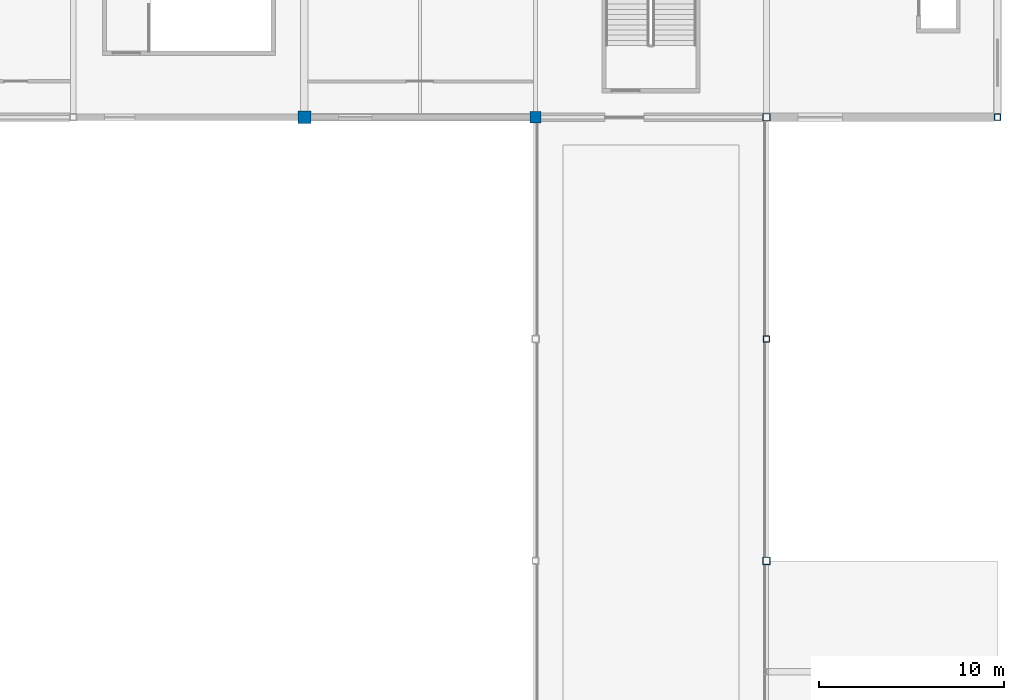
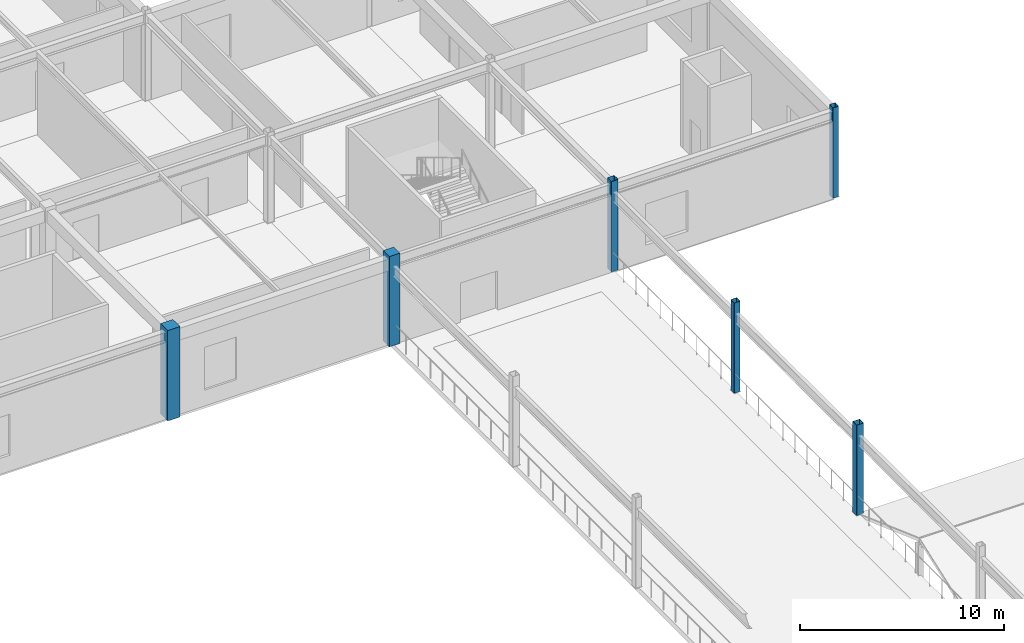
# One storey, part 18 of 105: 6 columns.
"""IFC4 building model written with IfcOpenShell, lengths in metres."""

from ifc_helpers import new_model, si_unit, direction, frame, origin, origin_2d, place, context, subcontext, project, spatial, rectangle, hollow_rectangle, extrude, material, material_profile, profile_set, type_object, element, save


model = new_model("IFC4")

# Units and contexts
model_context = context("Model", 3, precision=1e-05, world=origin(), true_north=direction((0.0, 1.0)))
body_context = subcontext(model_context, "Body", "Model", "MODEL_VIEW")
ifc_project = project(units=[si_unit("LENGTHUNIT", "METRE"), si_unit("AREAUNIT", "SQUARE_METRE"), si_unit("VOLUMEUNIT", "CUBIC_METRE"), si_unit("PLANEANGLEUNIT", "RADIAN"), si_unit("MASSUNIT", "GRAM", prefix="KILO")], contexts=[model_context])

# Site, building, storey
site_placement = place(None, origin())
site = spatial("IfcSite", under=ifc_project, at=site_placement, CompositionType="ELEMENT")
building_placement = place(site_placement, origin())
building = spatial("IfcBuilding", under=site, at=building_placement, Name="Kazenohara Klinker Stadium", CompositionType="ELEMENT")
storey_placement = place(building_placement, frame((0.0, 0.0, 20.39990234375)))
storey = spatial("IfcBuildingStorey", under=building, at=storey_placement, Name="L04", CompositionType="ELEMENT", Elevation=20.39990234375)

# Columns
ifc_material_1 = material(Name="Concrete C40/50", Category="concrete")
ifc_material_profile_1 = material_profile(ifc_material_1, rectangle(XDim=0.699951171875, YDim=0.699951171875, at=origin_2d()), Name="RC-COL-700x700")
ifc_profile_set_1 = profile_set([ifc_material_profile_1], Name="Concrete C40/50")
column_type_1 = type_object("IfcColumnType", Name="COL-RC06", PredefinedType="COLUMN", material=ifc_profile_set_1)
column_1_placement = place(storey_placement, frame((162.5, 132.0, 0.0), z_axis=(0.0, 0.0, 1.0), x_axis=(1.0, 0.0, 0.0)))
element("IfcColumn", 1, at=column_1_placement, inside=storey, type_object=column_type_1, Name="Column C06 L04 14/M", PredefinedType="COLUMN", context=body_context, shape_type="SweptSolid", body=[
    extrude(rectangle(XDim=0.699951171875, YDim=0.699951171875, at=origin_2d()), origin(), (0.0, 0.0, 1.0), 5.400146484375),
])
ifc_material_profile_2 = material_profile(ifc_material_1, rectangle(XDim=0.60009765625, YDim=0.60009765625, at=origin_2d()), Name="RC-COL-600x600")
ifc_profile_set_2 = profile_set([ifc_material_profile_2], Name="Concrete C40/50")
column_type_2 = type_object("IfcColumnType", Name="COL-RC07", PredefinedType="COLUMN", material=ifc_profile_set_2)
column_2_placement = place(storey_placement, frame((175.0, 132.0, 0.0), z_axis=(0.0, 0.0, 1.0), x_axis=(1.0, 0.0, 0.0)))
element("IfcColumn", 2, at=column_2_placement, inside=storey, type_object=column_type_2, Name="Column C07 L04 15/M", PredefinedType="COLUMN", context=body_context, shape_type="SweptSolid", body=[
    extrude(rectangle(XDim=0.60009765625, YDim=0.60009765625, at=origin_2d()), origin(), (0.0, 0.0, 1.0), 5.400146484375),
])
ifc_material_2 = material(Name="Steel S355", Category="steel")
ifc_material_profile_3 = material_profile(ifc_material_2, hollow_rectangle(XDim=0.39990234375, YDim=0.39990234375, WallThickness=0.01611328125, InnerFilletRadius=0.01611328125, OuterFilletRadius=0.031982421875, at=origin_2d()), Name="SHS-400x400x16")
ifc_profile_set_3 = profile_set([ifc_material_profile_3], Name="Steel S355")
column_type_3 = type_object("IfcColumnType", Name="COL-ST01", PredefinedType="COLUMN", material=ifc_profile_set_3)
for number, where, z_axis, x_axis, name in (
    (3, (187.5, 132.0, 0.0), (0.0, 0.0, 1.0), (1.0, 0.0, 0.0), "Column SC01 L04 16/M"),
    (4, (187.5, 108.0, 0.0), (0.0, 0.0, 1.0), (1.0, 0.0, 0.0), "Canopy ring support column SC01 L04 16/K"),
):
    element("IfcColumn", number, at=place(storey_placement, frame(where, z_axis=z_axis, x_axis=x_axis)), inside=storey, type_object=column_type_3, Name=name, PredefinedType="COLUMN", context=body_context, shape_type="SweptSolid", body=[
        extrude(hollow_rectangle(XDim=0.39990234375, YDim=0.39990234375, WallThickness=0.01611328125, InnerFilletRadius=0.01611328125, OuterFilletRadius=0.031982421875, at=origin_2d()), origin(), (0.0, 0.0, 1.0), 5.400146484375),
    ])
ifc_material_profile_4 = material_profile(ifc_material_2, hollow_rectangle(XDim=0.35009765625, YDim=0.35009765625, WallThickness=0.01611328125, InnerFilletRadius=0.01611328125, OuterFilletRadius=0.031982421875, at=origin_2d()), Name="SHS-350x350x16")
ifc_profile_set_4 = profile_set([ifc_material_profile_4], Name="Steel S355")
column_type_4 = type_object("IfcColumnType", Name="COL-ST02", PredefinedType="COLUMN", material=ifc_profile_set_4)
for number, where, z_axis, x_axis, name in (
    (5, (200.0, 132.0, 0.0), (0.0, 0.0, 1.0), (1.0, 0.0, 0.0), "Column SC02 L04 17/M"),
    (6, (187.5, 120.0, 0.0), (0.0, 0.0, 1.0), (1.0, 0.0, 0.0), "Canopy ring support column SC02 L04 16/L"),
):
    element("IfcColumn", number, at=place(storey_placement, frame(where, z_axis=z_axis, x_axis=x_axis)), inside=storey, type_object=column_type_4, Name=name, PredefinedType="COLUMN", context=body_context, shape_type="SweptSolid", body=[
        extrude(hollow_rectangle(XDim=0.35009765625, YDim=0.35009765625, WallThickness=0.01611328125, InnerFilletRadius=0.01611328125, OuterFilletRadius=0.031982421875, at=origin_2d()), origin(), (0.0, 0.0, 1.0), 5.400146484375),
    ])

save(model, "model.ifc")
